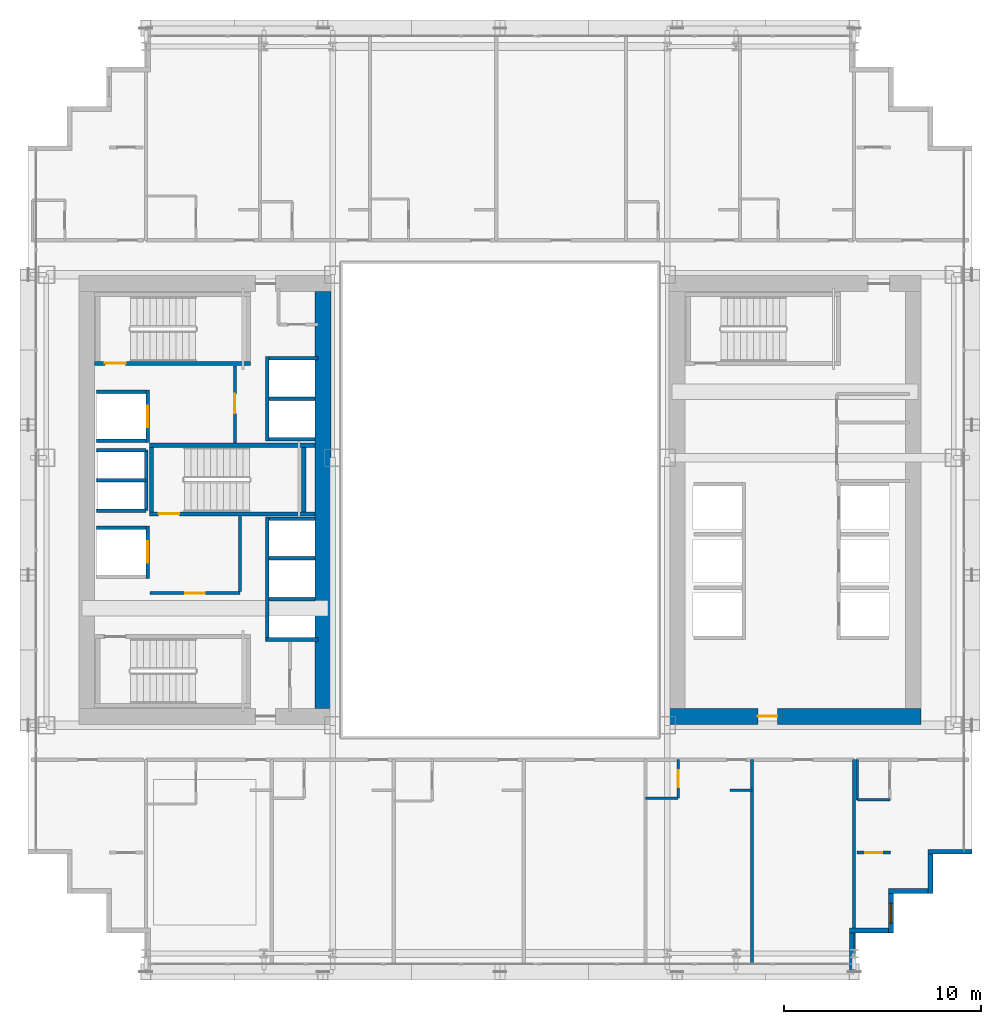
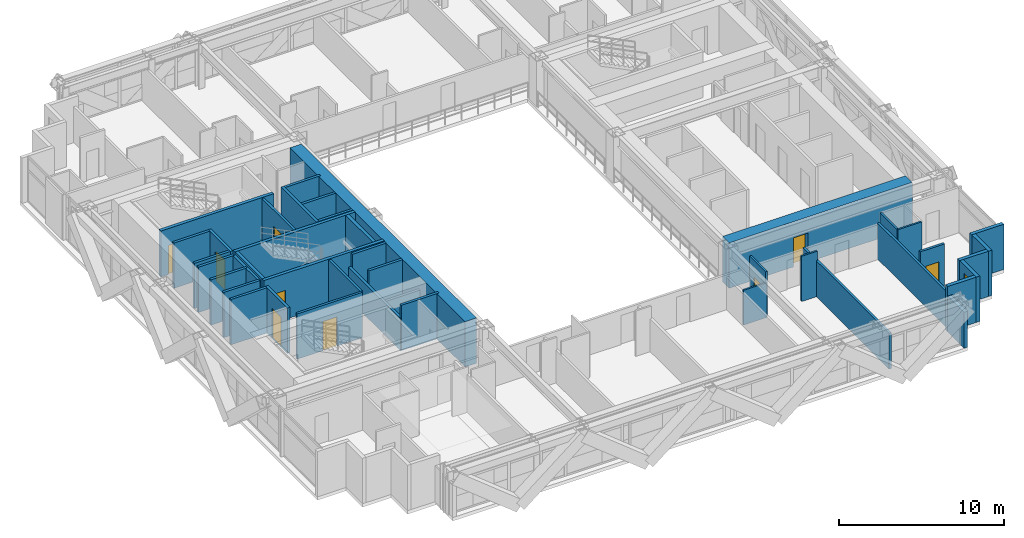
# One storey, part 31 of 38: 42 walls, 9 doors, 1 window, 10 openings.
"""IFC4 building model written with IfcOpenShell, lengths in metres."""

import ifcopenshell
import ifcopenshell.guid

model = None  # the IFC model being written
_history = None  # IfcOwnerHistory: only IFC2X3 demands one
_inside = {}  # id of a spatial element -> (the spatial element, [elements in it])
_under = {}  # id of a project, library or spatial element -> (it, [spatial elements below it])
_declared = {}  # id of a project -> (the project, [libraries it declares])
_typed = {}  # id of a type object -> (the type object, [elements of that type])
_made_of = {}  # id of a material, layer set ... -> (it, [elements and type objects made of it])


def new_model(schema):
    """Start an empty IFC model of exactly this schema.

    Asked for "IFC4X3", IfcOpenShell would pick the latest addendum, in which some entities
    have other attributes; the version numbers below select the first issue.
    IFC2X3 requires an IfcOwnerHistory on every rooted entity: one is made here for all.
    """
    global model, _history
    if schema == "IFC4X3":
        model = ifcopenshell.file(schema_version=(4, 3, 0, 0))
    else:
        model = ifcopenshell.file(schema=schema)
    _inside.clear()
    _under.clear()
    _declared.clear()
    _typed.clear()
    _made_of.clear()
    _history = None
    if model.schema == "IFC2X3":
        org = make("IfcOrganization", Name="unknown")
        user = make(
            "IfcPersonAndOrganization",
            ThePerson=make("IfcPerson", FamilyName="unknown"),
            TheOrganization=org,
        )
        app = make(
            "IfcApplication",
            ApplicationDeveloper=org,
            Version="unknown",
            ApplicationFullName="unknown",
            ApplicationIdentifier="unknown",
        )
        _history = make(
            "IfcOwnerHistory",
            OwningUser=user,
            OwningApplication=app,
            ChangeAction="ADDED",
            CreationDate=0,
        )
    return model


def make(cls, **values):
    """One entity of the class cls with the attributes given. An attribute that is None is left unset."""
    return model.create_entity(
        cls, **{name: value for name, value in values.items() if value is not None}
    )


def rooted(cls, **values):
    """An entity with a GlobalId (a new one), such as an element, a storey or a relation."""
    return make(cls, GlobalId=ifcopenshell.guid.new(), OwnerHistory=_history, **values)


def si_unit(unit_type, name, prefix=None):
    """IfcSIUnit, for example si_unit("LENGTHUNIT", "METRE", prefix="MILLI")."""
    return make("IfcSIUnit", UnitType=unit_type, Prefix=prefix, Name=name)


def assignment(units):
    """IfcUnitAssignment: the units of a project."""
    return None if units is None else make("IfcUnitAssignment", Units=units)


def point(xyz):
    """IfcCartesianPoint."""
    return None if xyz is None else make("IfcCartesianPoint", Coordinates=xyz)


def direction(xyz):
    """IfcDirection."""
    return None if xyz is None else make("IfcDirection", DirectionRatios=xyz)


def frame(location, z_axis=None, x_axis=None):
    """IfcAxis2Placement3D, a coordinate frame: its origin and axes. An axis left out is left unset."""
    return make(
        "IfcAxis2Placement3D",
        Location=point(location),
        Axis=direction(z_axis),
        RefDirection=direction(x_axis),
    )


def frame_2d(location, x_axis=None):
    """IfcAxis2Placement2D, a coordinate frame in the plane: its origin and x axis."""
    return make(
        "IfcAxis2Placement2D", Location=point(location), RefDirection=direction(x_axis)
    )


def origin():
    """The frame at (0, 0, 0) with its axes left unset."""
    return frame((0.0, 0.0, 0.0))


def place(relative_to, where):
    """IfcLocalPlacement: puts the frame where relative to a parent placement (None: the world)."""
    return make(
        "IfcLocalPlacement", PlacementRelTo=relative_to, RelativePlacement=where
    )


def context(
    kind, dimensions, precision=None, world=None, true_north=None, identifier=None
):
    """IfcGeometricRepresentationContext, for example the 3D "Model" context."""
    return make(
        "IfcGeometricRepresentationContext",
        ContextIdentifier=identifier,
        ContextType=kind,
        CoordinateSpaceDimension=dimensions,
        Precision=precision,
        WorldCoordinateSystem=world,
        TrueNorth=true_north,
    )


def subcontext(parent, identifier, kind, view, scale=None):
    """IfcGeometricRepresentationSubContext, for example "Body" below "Model"."""
    return make(
        "IfcGeometricRepresentationSubContext",
        ContextIdentifier=identifier,
        ContextType=kind,
        ParentContext=parent,
        TargetScale=scale,
        TargetView=view,
    )


def project(units=None, contexts=None):
    """IfcProject with its units and contexts."""
    return rooted(
        "IfcProject",
        Name="project",
        RepresentationContexts=contexts,
        UnitsInContext=assignment(units),
    )


def spatial(cls, under=None, at=None, **own):
    """A site, building, storey or space (cls), placed at a placement, below another one or the project."""
    s = rooted(cls, ObjectPlacement=at, **own)
    if under is not None:
        _under.setdefault(under.id(), (under, []))[1].append(s)
    return s


def profile(cls, at=None, kind="AREA", **sizes):
    """A parametric profile (cls). Its sizes go by their IFC names, for example OverallWidth=200.0."""
    return make(cls, ProfileType=kind, Position=at, **sizes)


def rectangle(**sizes):
    """IfcRectangleProfileDef."""
    return profile("IfcRectangleProfileDef", **sizes)


def extrude(swept, where, along, depth):
    """IfcExtrudedAreaSolid: the profile swept, set in the frame where, extruded along a direction by depth."""
    return make(
        "IfcExtrudedAreaSolid",
        SweptArea=swept,
        Position=where,
        ExtrudedDirection=direction(along),
        Depth=depth,
    )


def shape(context_of_items, identifier, shape_type, items):
    """IfcShapeRepresentation: the items that make up one representation, for example the "Body"."""
    return make(
        "IfcShapeRepresentation",
        ContextOfItems=context_of_items,
        RepresentationIdentifier=identifier,
        RepresentationType=shape_type,
        Items=items,
    )


def source(mapping_origin, context_of_items, identifier, shape_type, items):
    """IfcRepresentationMap: a shape defined once, which mapped items show again and again."""
    return make(
        "IfcRepresentationMap",
        MappingOrigin=mapping_origin,
        MappedRepresentation=shape(context_of_items, identifier, shape_type, items),
    )


def transform(
    local_origin,
    x_axis=None,
    y_axis=None,
    z_axis=None,
    scale=None,
    scale2=None,
    scale3=None,
    uniform=True,
):
    """IfcCartesianTransformationOperator3D, or its non-uniform kind. x_axis, y_axis, z_axis: its Axis1, 2, 3."""
    if uniform:
        return make(
            "IfcCartesianTransformationOperator3D",
            Axis1=direction(x_axis),
            Axis2=direction(y_axis),
            LocalOrigin=point(local_origin),
            Scale=scale,
            Axis3=direction(z_axis),
        )
    return make(
        "IfcCartesianTransformationOperator3DnonUniform",
        Axis1=direction(x_axis),
        Axis2=direction(y_axis),
        LocalOrigin=point(local_origin),
        Scale=scale,
        Axis3=direction(z_axis),
        Scale2=scale2,
        Scale3=scale3,
    )


def mapped(mapping_source, mapping_target):
    """IfcMappedItem: shows the shape of a source again, moved by a transform."""
    return make(
        "IfcMappedItem", MappingSource=mapping_source, MappingTarget=mapping_target
    )


def material(Name=None, Category=None):
    """IfcMaterial."""
    return make("IfcMaterial", Name=Name, Category=Category)


def layer(
    of_material, thickness, ventilated=None, Name=None, Category=None, Priority=None
):
    """IfcMaterialLayer: one layer of a wall or slab, of a material (None: an air gap)."""
    return make(
        "IfcMaterialLayer",
        Material=of_material,
        LayerThickness=thickness,
        IsVentilated=ventilated,
        Name=Name,
        Category=Category,
        Priority=Priority,
    )


def layer_set(layers, Name=None):
    """IfcMaterialLayerSet."""
    return make("IfcMaterialLayerSet", MaterialLayers=layers, LayerSetName=Name)


def made_of(thing, what):
    """Note that an element or type object is made of a material, layer set ...; save() writes the relation."""
    if what is not None:
        _made_of.setdefault(what.id(), (what, []))[1].append(thing)
    return thing


def type_object(cls, material=None, **own):
    """A type object (cls), such as IfcWallType, which elements share."""
    return made_of(rooted(cls, **own), material)


def element(
    cls,
    number,
    at=None,
    inside=None,
    cuts=None,
    type_object=None,
    material=None,
    context=None,
    identifier="Body",
    shape_type=None,
    held_by="IfcProductDefinitionShape",
    body=None,
    shapes=None,
    **own,
):
    """One element of the class cls, such as IfcWall. Its Tag is "e" and its number.

    at: its placement. inside: the storey or other place that contains it. cuts: it is an
    opening in that element (IfcRelVoidsElement). A single representation is given by context,
    identifier, shape_type and body (its items); several are given by shapes. held_by: the class
    of the entity that holds the representations. save() writes the other relations.
    """
    e = rooted(cls, Tag="e%d" % number, ObjectPlacement=at, **own)
    if body is not None:
        shapes = [shape(context, identifier, shape_type, body)]
    if shapes is not None:
        e.Representation = make(held_by, Representations=shapes)
    if inside is not None:
        _inside.setdefault(inside.id(), (inside, []))[1].append(e)
    if cuts is not None:
        rooted(
            "IfcRelVoidsElement", RelatingBuildingElement=cuts, RelatedOpeningElement=e
        )
    if type_object is not None:
        _typed.setdefault(type_object.id(), (type_object, []))[1].append(e)
    return made_of(e, material)


def fill(opening, filler):
    """IfcRelFillsElement: the door or window that sits in an opening."""
    return rooted(
        "IfcRelFillsElement",
        RelatingOpeningElement=opening,
        RelatedBuildingElement=filler,
    )


def aggregate(whole, parts):
    """IfcRelAggregates: a whole, such as a stair, and the parts it consists of."""
    return rooted("IfcRelAggregates", RelatingObject=whole, RelatedObjects=parts)


def save(model, path):
    """Write the relations noted so far, then the file.

    IfcRelAggregates (storeys below a building ...), IfcRelContainedInSpatialStructure (elements
    in a storey), IfcRelDefinesByType, IfcRelAssociatesMaterial and IfcRelDeclares: one each for
    every whole, place, type object, material and project.
    """
    for whole, parts in _under.values():
        aggregate(whole, parts)
    for where, things in _inside.values():
        rooted(
            "IfcRelContainedInSpatialStructure",
            RelatedElements=things,
            RelatingStructure=where,
        )
    for kind, things in _typed.values():
        rooted("IfcRelDefinesByType", RelatedObjects=things, RelatingType=kind)
    for what, things in _made_of.values():
        rooted("IfcRelAssociatesMaterial", RelatedObjects=things, RelatingMaterial=what)
    for by, libraries in _declared.values():
        rooted("IfcRelDeclares", RelatingContext=by, RelatedDefinitions=libraries)
    model.write(path)


model = new_model("IFC4")

# Units and contexts
model_context = context("Model", 3, precision=1e-05, world=origin(), true_north=direction((0.0, 1.0)))
body_context = subcontext(model_context, "Body", "Model", "MODEL_VIEW")
ifc_project = project(units=[si_unit("LENGTHUNIT", "METRE"), si_unit("AREAUNIT", "SQUARE_METRE"), si_unit("VOLUMEUNIT", "CUBIC_METRE"), si_unit("PLANEANGLEUNIT", "RADIAN"), si_unit("MASSUNIT", "GRAM", prefix="KILO")], contexts=[model_context])

# Site, building, storey
site_placement = place(None, origin())
site = spatial("IfcSite", under=ifc_project, at=site_placement, CompositionType="ELEMENT")
building_placement = place(site_placement, origin())
building = spatial("IfcBuilding", under=site, at=building_placement, Name="Ocotamira Hotel", CompositionType="ELEMENT")
storey_placement = place(building_placement, frame((0.0, 0.0, 45.60009765625)))
storey = spatial("IfcBuildingStorey", under=building, at=storey_placement, Name="L10", CompositionType="ELEMENT", Elevation=45.60009765625)

# Wall
ifc_material_1 = material(Name="Concrete C60/75", Category="concrete")
ifc_layer_1 = layer(ifc_material_1, 0.800048828125)
ifc_layer_set_1 = layer_set([ifc_layer_1], Name="Concrete C60/75")
wall_type_1 = type_object("IfcWallType", Name="WL-CORE-800", PredefinedType="SHEAR", material=ifc_layer_set_1)
wall_1_placement = place(storey_placement, frame((23.0, 15.39990234375, 0.0), z_axis=(0.0, 0.0, 1.0), x_axis=(0.0, 1.0, 0.0)))
element("IfcWall", 1, at=wall_1_placement, inside=storey, type_object=wall_type_1, Name="L10 Shear Core Wall WCORE-E", PredefinedType="SHEAR", context=body_context, shape_type="SweptSolid", body=[
    extrude(rectangle(XDim=21.2001953125, YDim=0.800048828125, at=frame_2d((10.60009765625, 0.0))), origin(), (0.0, 0.0, 1.0), 3.349853515625),
])

# Wall, opening, door
wall_2_placement = place(storey_placement, frame((40.60009765625, 15.0, 0.0), z_axis=(0.0, 0.0, 1.0), x_axis=(1.0, 0.0, 0.0)))
wall_2 = element("IfcWall", 2, at=wall_2_placement, inside=storey, type_object=wall_type_1, Name="L10 Shear Core Wall ECORE-S", PredefinedType="SHEAR", context=body_context, shape_type="SweptSolid", body=[
    extrude(rectangle(XDim=12.7998046875, YDim=0.800048828125, at=frame_2d((6.39990234375, 0.0))), origin(), (0.0, 0.0, 1.0), 3.349853515625),
])
opening_1_placement = place(wall_2_placement, frame((4.5, 0.0, 0.0)))
opening_1 = element("IfcOpeningElement", 3, at=opening_1_placement, cuts=wall_2, Name="Opening D-FR2", PredefinedType="OPENING", context=body_context, shape_type="SweptSolid", body=[
    extrude(rectangle(XDim=1.0, YDim=2.14990234375, at=frame_2d((0.5, 1.074951171875))), frame((0.0, 0.41015625, 0.0), z_axis=(0.0, -1.0, 0.0), x_axis=(1.0, 0.0, 0.0)), (0.0, 0.0, 1.0), 0.820068359375),
])
ifc_material_2 = material(Name="Fire-rated acoustic timber-veneer door", Category="wood")
door_type_1 = type_object("IfcDoorType", Name="DR-FIRE-1000", OperationType="NOTDEFINED", PredefinedType="DOOR", material=ifc_material_2)
shared_shape_1 = source(origin(), body_context, "Body", "SweptSolid", [
    extrude(rectangle(XDim=1.0, YDim=2.14990234375, at=frame_2d((0.5, 1.074951171875))), frame((0.0, 0.02490234375, 0.0), z_axis=(0.0, -1.0, 0.0), x_axis=(1.0, 0.0, 0.0)), (0.0, 0.0, 1.0), 0.050048828125),
])
door_1_placement = place(opening_1_placement, origin())
door_1 = element("IfcDoor", 4, at=door_1_placement, inside=storey, type_object=door_type_1, Name="L10 Door ID-L10-ELOB-S-D [ID-L10-ELOB-S-D]", OperationType="SINGLE_SWING_RIGHT", OverallHeight=2.14990234375, OverallWidth=1.0, PredefinedType="DOOR", context=body_context, shape_type="MappedRepresentation", body=[
    mapped(shared_shape_1, transform((0.0, 0.0, 0.0), scale=1.0)),
])
fill(opening_1, door_1)

# Walls
ifc_material_3 = material(Name="Precast concrete C45/55", Category="concrete")
ifc_layer_2 = layer(ifc_material_3, 0.25)
ifc_layer_set_2 = layer_set([ifc_layer_2], Name="Precast concrete C45/55")
wall_type_2 = type_object("IfcWallType", Name="WL-EXT-SER-250", PredefinedType="SOLIDWALL", material=ifc_layer_set_2)
wall_3_placement = place(storey_placement, frame((49.875, 2.0, 0.0), z_axis=(0.0, 0.0, 1.0), x_axis=(0.0, 1.0, 0.0)))
element("IfcWall", 5, at=wall_3_placement, inside=storey, type_object=wall_type_2, Name="L10 Serrated Corner Wall 01", PredefinedType="SOLIDWALL", context=body_context, shape_type="SweptSolid", body=[
    extrude(rectangle(XDim=2.0, YDim=0.25, at=frame_2d((1.0, 0.0))), origin(), (0.0, 0.0, 1.0), 2.656982421875),
])
wall_4_placement = place(storey_placement, frame((49.75, 4.125, 0.0), z_axis=(0.0, 0.0, 1.0), x_axis=(1.0, 0.0, 0.0)))
element("IfcWall", 6, at=wall_4_placement, inside=storey, type_object=wall_type_2, Name="L10 Serrated Corner Wall 02", PredefinedType="SOLIDWALL", context=body_context, shape_type="SweptSolid", body=[
    extrude(rectangle(XDim=2.0, YDim=0.25, at=frame_2d((1.0, 0.0))), origin(), (0.0, 0.0, 1.0), 3.349853515625),
])

# Wall, opening, window
wall_5_placement = place(storey_placement, frame((51.875, 4.0, 0.0), z_axis=(0.0, 0.0, 1.0), x_axis=(0.0, 1.0, 0.0)))
wall_5 = element("IfcWall", 7, at=wall_5_placement, inside=storey, type_object=wall_type_2, Name="L10 Serrated Corner Wall 03", PredefinedType="SOLIDWALL", context=body_context, shape_type="SweptSolid", body=[
    extrude(rectangle(XDim=2.0, YDim=0.25, at=frame_2d((1.0, 0.0))), origin(), (0.0, 0.0, 1.0), 3.349853515625),
])
opening_2_placement = place(wall_5_placement, frame((0.5, 0.0, 0.85009765625)))
opening_2 = element("IfcOpeningElement", 8, at=opening_2_placement, cuts=wall_5, Name="Opening WN-2", PredefinedType="OPENING", context=body_context, shape_type="SweptSolid", body=[
    extrude(rectangle(XDim=1.0, YDim=1.89990234375, at=frame_2d((0.5, 0.949951171875))), frame((0.0, 0.135009765625, 0.0), z_axis=(0.0, -1.0, 0.0), x_axis=(1.0, 0.0, 0.0)), (0.0, 0.0, 1.0), 0.27001953125),
])
ifc_material_4 = material(Name="Double-silver low-E solar glass", Category="glass")
window_type = type_object("IfcWindowType", Name="WIN-SER-1100", PartitioningType="SINGLE_PANEL", PredefinedType="WINDOW", material=ifc_material_4)
shared_shape_2 = source(origin(), body_context, "Body", "SweptSolid", [
    extrude(rectangle(XDim=1.0, YDim=1.89990234375, at=frame_2d((0.5, 0.949951171875))), frame((0.0, 0.030029296875, 0.0), z_axis=(0.0, -1.0, 0.0), x_axis=(1.0, 0.0, 0.0)), (0.0, 0.0, 1.0), 0.06005859375),
])
window_placement = place(opening_2_placement, origin())
window = element("IfcWindow", 9, at=window_placement, inside=storey, type_object=window_type, Name="L10 Serrated Corner Window 03", OverallHeight=1.89990234375, OverallWidth=1.0, PartitioningType="SINGLE_PANEL", PredefinedType="WINDOW", context=body_context, shape_type="MappedRepresentation", body=[
    mapped(shared_shape_2, transform((0.0, 0.0, 0.0), scale=1.0)),
])
fill(opening_2, window)

# Walls
for number, where, z_axis, x_axis, name in (
    (10, (51.75, 6.125, 0.0), (0.0, 0.0, 1.0), (1.0, 0.0, 0.0), "L10 Serrated Corner Wall 04"),
    (11, (53.875, 6.0, 0.0), (0.0, 0.0, 1.0), (0.0, 1.0, 0.0), "L10 Serrated Corner Wall 05"),
):
    element("IfcWall", number, at=place(storey_placement, frame(where, z_axis=z_axis, x_axis=x_axis)), inside=storey, type_object=wall_type_2, Name=name, PredefinedType="SOLIDWALL", context=body_context, shape_type="SweptSolid", body=[
        extrude(rectangle(XDim=2.0, YDim=0.25, at=frame_2d((1.0, 0.0))), origin(), (0.0, 0.0, 1.0), 3.349853515625),
    ])
wall_6_placement = place(storey_placement, frame((53.75, 8.125, 0.0), z_axis=(0.0, 0.0, 1.0), x_axis=(1.0, 0.0, 0.0)))
element("IfcWall", 12, at=wall_6_placement, inside=storey, type_object=wall_type_2, Name="L10 Serrated Corner Wall 06", PredefinedType="SOLIDWALL", context=body_context, shape_type="SweptSolid", body=[
    extrude(rectangle(XDim=2.25, YDim=0.25, at=frame_2d((1.125, 0.0))), origin(), (0.0, 0.0, 1.0), 3.349853515625),
])

# Wall, opening, door
ifc_material_5 = material(Name="Acoustic double-layer fire gypsum board partition", Category="gypsum")
ifc_layer_3 = layer(ifc_material_5, 0.159912109375)
ifc_layer_set_3 = layer_set([ifc_layer_3], Name="Acoustic double-layer fire gypsum board partition")
wall_type_3 = type_object("IfcWallType", Name="WL-FIRE-160", PredefinedType="PARTITIONING", material=ifc_layer_set_3)
wall_7_placement = place(storey_placement, frame((14.199951171875, 21.27001953125, 0.0), z_axis=(0.0, 0.0, 1.0), x_axis=(1.0, 0.0, 0.0)))
wall_7 = element("IfcWall", 13, at=wall_7_placement, inside=storey, type_object=wall_type_3, Name="L10 Interior Wall PW-L10-FSAE1-S", PredefinedType="PARTITIONING", context=body_context, shape_type="SweptSolid", body=[
    extrude(rectangle(XDim=4.580078125, YDim=0.159912109375, at=frame_2d((2.2900390625, 0.0))), origin(), (0.0, 0.0, 1.0), 3.349853515625),
])
opening_3_placement = place(wall_7_placement, frame((1.800048828125, 0.0, 0.0)))
opening_3 = element("IfcOpeningElement", 14, at=opening_3_placement, cuts=wall_7, Name="Opening D-FR2", PredefinedType="OPENING", context=body_context, shape_type="SweptSolid", body=[
    extrude(rectangle(XDim=1.0, YDim=2.14990234375, at=frame_2d((0.5, 1.074951171875))), frame((0.0, 0.08984375, 0.0), z_axis=(0.0, -1.0, 0.0), x_axis=(1.0, 0.0, 0.0)), (0.0, 0.0, 1.0), 0.179931640625),
])
door_2_placement = place(opening_3_placement, origin())
door_2 = element("IfcDoor", 15, at=door_2_placement, inside=storey, type_object=door_type_1, Name="L10 Door ID-L10-FSAE1-D [ID-L10-FSAE1-D]", OperationType="SINGLE_SWING_LEFT", OverallHeight=2.14990234375, OverallWidth=1.0, PredefinedType="DOOR", context=body_context, shape_type="MappedRepresentation", body=[
    mapped(shared_shape_1, transform((0.0, 0.0, 0.0), scale=1.0)),
])
fill(opening_3, door_2)

# Wall
wall_8_placement = place(storey_placement, frame((18.780029296875, 21.35009765625, 0.0), z_axis=(0.0, 0.0, 1.0), x_axis=(0.0, 1.0, 0.0)))
element("IfcWall", 16, at=wall_8_placement, inside=storey, type_object=wall_type_3, Name="L10 Interior Wall PW-L10-FSAE1-E", PredefinedType="PARTITIONING", context=body_context, shape_type="SweptSolid", body=[
    extrude(rectangle(XDim=3.809814453125, YDim=0.159912109375, at=frame_2d((1.90478515625, 0.0))), origin(), (0.0, 0.0, 1.0), 3.349853515625),
])

# Wall, opening, door
wall_9_placement = place(storey_placement, frame((18.530029296875, 28.89990234375, 0.0), z_axis=(0.0, 0.0, 1.0), x_axis=(0.0, 1.0, 0.0)))
wall_9 = element("IfcWall", 17, at=wall_9_placement, inside=storey, type_object=wall_type_3, Name="L10 Interior Wall PW-L10-FSAE2-E", PredefinedType="PARTITIONING", context=body_context, shape_type="SweptSolid", body=[
    extrude(rectangle(XDim=3.900146484375, YDim=0.159912109375, at=frame_2d((1.9501953125, 0.0))), origin(), (0.0, 0.0, 1.0), 3.349853515625),
])
opening_4_placement = place(wall_9_placement, frame((1.5, 0.0, 0.0)))
opening_4 = element("IfcOpeningElement", 18, at=opening_4_placement, cuts=wall_9, Name="Opening D-FR2", PredefinedType="OPENING", context=body_context, shape_type="SweptSolid", body=[
    extrude(rectangle(XDim=1.0, YDim=2.14990234375, at=frame_2d((0.5, 1.074951171875))), frame((0.0, 0.08984375, 0.0), z_axis=(0.0, -1.0, 0.0), x_axis=(1.0, 0.0, 0.0)), (0.0, 0.0, 1.0), 0.179931640625),
])
door_3_placement = place(opening_4_placement, origin())
door_3 = element("IfcDoor", 19, at=door_3_placement, inside=storey, type_object=door_type_1, Name="L10 Door ID-L10-FSAE2-D [ID-L10-FSAE2-D]", OperationType="SINGLE_SWING_RIGHT", OverallHeight=2.14990234375, OverallWidth=1.0, PredefinedType="DOOR", context=body_context, shape_type="MappedRepresentation", body=[
    mapped(shared_shape_1, transform((0.0, 0.0, 0.0), scale=1.0)),
])
fill(opening_4, door_3)

wall_10_placement = place(storey_placement, frame((50.14990234375, 8.080078125, 0.0), z_axis=(0.0, 0.0, 1.0), x_axis=(1.0, 0.0, 0.0)))
wall_10 = element("IfcWall", 20, at=wall_10_placement, inside=storey, type_object=wall_type_3, Name="L10 Interior Wall PW-L10-Z1B-CSE2-CW", PredefinedType="PARTITIONING", context=body_context, shape_type="SweptSolid", body=[
    extrude(rectangle(XDim=1.7001953125, YDim=0.159912109375, at=frame_2d((0.85009765625, 0.0))), origin(), (0.0, 0.0, 1.0), 3.349853515625),
])
opening_5_placement = place(wall_10_placement, frame((0.409912109375, 0.0, 0.0)))
opening_5 = element("IfcOpeningElement", 21, at=opening_5_placement, cuts=wall_10, Name="Opening D-SV2", PredefinedType="OPENING", context=body_context, shape_type="SweptSolid", body=[
    extrude(rectangle(XDim=0.8798828125, YDim=2.14990234375, at=frame_2d((0.43994140625, 1.074951171875))), frame((0.0, 0.08984375, 0.0), z_axis=(0.0, -1.0, 0.0), x_axis=(1.0, 0.0, 0.0)), (0.0, 0.0, 1.0), 0.179931640625),
])
ifc_material_6 = material(Name="Fire-rated painted steel service door", Category="steel")
door_type_2 = type_object("IfcDoorType", Name="DR-SERV-880", OperationType="NOTDEFINED", PredefinedType="DOOR", material=ifc_material_6)
shared_shape_3 = source(origin(), body_context, "Body", "SweptSolid", [
    extrude(rectangle(XDim=0.8798828125, YDim=2.14990234375, at=frame_2d((0.43994140625, 1.074951171875))), frame((0.0, 0.02490234375, 0.0), z_axis=(0.0, -1.0, 0.0), x_axis=(1.0, 0.0, 0.0)), (0.0, 0.0, 1.0), 0.050048828125),
])
door_4_placement = place(opening_5_placement, origin())
door_4 = element("IfcDoor", 22, at=door_4_placement, inside=storey, type_object=door_type_2, Name="L10 Door ID-L10-Z1B-CSE2-CD [ID-L10-Z1B-CSE2-CD]", OperationType="SINGLE_SWING_LEFT", OverallHeight=2.14990234375, OverallWidth=0.8798828125, PredefinedType="DOOR", context=body_context, shape_type="MappedRepresentation", body=[
    mapped(shared_shape_3, transform((0.0, 0.0, 0.0), scale=1.0)),
])
fill(opening_5, door_4)

# Walls
ifc_material_7 = material(Name="Moisture-resistant en-suite tile and gypsum partition", Category="gypsum")
ifc_layer_4 = layer(ifc_material_7, 0.1201171875)
ifc_layer_set_4 = layer_set([ifc_layer_4], Name="Moisture-resistant en-suite tile and gypsum partition")
wall_type_4 = type_object("IfcWallType", Name="WL-PART-120", PredefinedType="PARTITIONING", material=ifc_layer_set_4)
wall_11_placement = place(storey_placement, frame((50.159912109375, 10.760009765625, 0.0), z_axis=(0.0, 0.0, 1.0), x_axis=(0.0, 1.0, 0.0)))
element("IfcWall", 23, at=wall_11_placement, inside=storey, type_object=wall_type_4, Name="L10 Interior Wall PW-L10-Z1B-CSE-BW", PredefinedType="PARTITIONING", context=body_context, shape_type="SweptSolid", body=[
    extrude(rectangle(XDim=2.0400390625, YDim=0.1201171875, at=frame_2d((1.02001953125, 0.0))), origin(), (0.0, 0.0, 1.0), 3.349853515625),
])
wall_12_placement = place(storey_placement, frame((50.159912109375, 10.760009765625, 0.0), z_axis=(0.0, 0.0, 1.0), x_axis=(1.0, 0.0, 0.0)))
element("IfcWall", 24, at=wall_12_placement, inside=storey, type_object=wall_type_4, Name="L10 Interior Wall PW-L10-Z1B-CSE-BH", PredefinedType="PARTITIONING", context=body_context, shape_type="SweptSolid", body=[
    extrude(rectangle(XDim=1.650146484375, YDim=0.1201171875, at=frame_2d((0.8251953125, 0.0))), origin(), (0.0, 0.0, 1.0), 3.349853515625),
])

# Wall, opening, door
wall_13_placement = place(storey_placement, frame((41.050048828125, 10.85009765625, 0.0), z_axis=(0.0, 0.0, 1.0), x_axis=(0.0, 1.0, 0.0)))
wall_13 = element("IfcWall", 25, at=wall_13_placement, inside=storey, type_object=wall_type_4, Name="L10 Interior Wall PW-L10-Z1BS-BAE5", PredefinedType="PARTITIONING", context=body_context, shape_type="SweptSolid", body=[
    extrude(rectangle(XDim=1.949951171875, YDim=0.1201171875, at=frame_2d((0.97509765625, 0.0))), origin(), (0.0, 0.0, 1.0), 3.349853515625),
])
opening_6_placement = place(wall_13_placement, frame((0.544921875, 0.0, 0.0)))
opening_6 = element("IfcOpeningElement", 26, at=opening_6_placement, cuts=wall_13, Name="Opening D-BA1", PredefinedType="OPENING", context=body_context, shape_type="SweptSolid", body=[
    extrude(rectangle(XDim=0.860107421875, YDim=2.10009765625, at=frame_2d((0.43017578125, 1.050048828125))), frame((0.0, 0.070068359375, 0.0), z_axis=(0.0, -1.0, 0.0), x_axis=(1.0, 0.0, 0.0)), (0.0, 0.0, 1.0), 0.14013671875),
])
ifc_material_8 = material(Name="Moisture-sealed en-suite timber door", Category="wood")
door_type_3 = type_object("IfcDoorType", Name="DR-BATH-860", OperationType="NOTDEFINED", PredefinedType="DOOR", material=ifc_material_8)
shared_shape_4 = source(origin(), body_context, "Body", "SweptSolid", [
    extrude(rectangle(XDim=0.860107421875, YDim=2.10009765625, at=frame_2d((0.43017578125, 1.050048828125))), frame((0.0, 0.02490234375, 0.0), z_axis=(0.0, -1.0, 0.0), x_axis=(1.0, 0.0, 0.0)), (0.0, 0.0, 1.0), 0.050048828125),
])
door_5_placement = place(opening_6_placement, origin())
door_5 = element("IfcDoor", 27, at=door_5_placement, inside=storey, type_object=door_type_3, Name="L10 Door ID-L10-Z1BS-BAD5 [ID-L10-Z1BS-BAD5]", OperationType="SINGLE_SWING_RIGHT", OverallHeight=2.10009765625, OverallWidth=0.860107421875, PredefinedType="DOOR", context=body_context, shape_type="MappedRepresentation", body=[
    mapped(shared_shape_4, transform((0.0, 0.0, 0.0), scale=1.0)),
])
fill(opening_6, door_5)

# Walls
wall_14_placement = place(storey_placement, frame((39.39990234375, 10.85009765625, 0.0), z_axis=(0.0, 0.0, 1.0), x_axis=(1.0, 0.0, 0.0)))
element("IfcWall", 28, at=wall_14_placement, inside=storey, type_object=wall_type_4, Name="L10 Interior Wall PW-L10-Z1BS-BAS5", PredefinedType="PARTITIONING", context=body_context, shape_type="SweptSolid", body=[
    extrude(rectangle(XDim=1.650146484375, YDim=0.1201171875, at=frame_2d((0.8251953125, 0.0))), origin(), (0.0, 0.0, 1.0), 2.57080078125),
])
wall_15_placement = place(storey_placement, frame((43.699951171875, 11.25, 0.0), z_axis=(0.0, 0.0, 1.0), x_axis=(1.0, 0.0, 0.0)))
element("IfcWall", 29, at=wall_15_placement, inside=storey, type_object=wall_type_4, Name="L10 Interior Wall PW-L10-Z1BS-DRN5", PredefinedType="PARTITIONING", context=body_context, shape_type="SweptSolid", body=[
    extrude(rectangle(XDim=1.10009765625, YDim=0.1201171875, at=frame_2d((0.550048828125, 0.0))), origin(), (0.0, 0.0, 1.0), 3.349853515625),
])
ifc_material_9 = material(Name="Acoustic double-stud hospitality gypsum partition", Category="gypsum")
ifc_layer_5 = layer(ifc_material_9, 0.159912109375)
ifc_layer_set_5 = layer_set([ifc_layer_5], Name="Acoustic double-stud hospitality gypsum partition")
wall_type_5 = type_object("IfcWallType", Name="WL-PART-160", PredefinedType="PARTITIONING", material=ifc_layer_set_5)
for number, where, z_axis, x_axis, name in (
    (30, (50.0, 2.360107421875, 0.0), (0.0, 0.0, 1.0), (0.0, 1.0, 0.0), "L10 Interior Wall PW-L10-Z1BS-PWEND"),
    (31, (44.800048828125, 2.360107421875, 0.0), (0.0, 0.0, 1.0), (0.0, 1.0, 0.0), "L10 Interior Wall PW-L10-Z1BS-PW5"),
):
    element("IfcWall", number, at=place(storey_placement, frame(where, z_axis=z_axis, x_axis=x_axis)), inside=storey, type_object=wall_type_5, Name=name, PredefinedType="PARTITIONING", context=body_context, shape_type="SweptSolid", body=[
        extrude(rectangle(XDim=10.43994140625, YDim=0.159912109375, at=frame_2d((5.219970703125, 0.0))), origin(), (0.0, 0.0, 1.0), 2.656982421875),
    ])
ifc_material_10 = material(Name="Fire-rated gypsum shaftliner board assembly", Category="gypsum")
ifc_layer_6 = layer(ifc_material_10, 0.179931640625)
ifc_layer_set_6 = layer_set([ifc_layer_6], Name="Fire-rated gypsum shaftliner board assembly")
wall_type_6 = type_object("IfcWallType", Name="WL-SHAFT-180", PredefinedType="SOLIDWALL", material=ifc_layer_set_6)
wall_16_placement = place(storey_placement, frame((20.159912109375, 18.820068359375, 0.0), z_axis=(0.0, 0.0, 1.0), x_axis=(0.0, 1.0, 0.0)))
element("IfcWall", 32, at=wall_16_placement, inside=storey, type_object=wall_type_6, Name="L10 Interior Wall PW-L10-LFW-BANK-high-F", PredefinedType="SOLIDWALL", context=body_context, shape_type="SweptSolid", body=[
    extrude(rectangle(XDim=6.31982421875, YDim=0.179931640625, at=frame_2d((3.159912109375, 0.0))), origin(), (0.0, 0.0, 1.0), 2.35986328125),
])
wall_17_placement = place(storey_placement, frame((20.1201171875, 18.909912109375, 0.0), z_axis=(0.0, 0.0, 1.0), x_axis=(1.0, 0.0, 0.0)))
element("IfcWall", 33, at=wall_17_placement, inside=storey, type_object=wall_type_6, Name="L10 Interior Wall PW-L10-LFW-BANK-high-S", PredefinedType="SOLIDWALL", context=body_context, shape_type="SweptSolid", body=[
    extrude(rectangle(XDim=2.6298828125, YDim=0.179931640625, at=frame_2d((1.31494140625, 0.0))), origin(), (0.0, 0.0, 1.0), 3.349853515625),
])
wall_18_placement = place(storey_placement, frame((20.25, 25.050048828125, 0.0), z_axis=(0.0, 0.0, 1.0), x_axis=(1.0, 0.0, 0.0)))
element("IfcWall", 34, at=wall_18_placement, inside=storey, type_object=wall_type_6, Name="L10 Interior Wall PW-L10-LFW-BANK-high-N", PredefinedType="SOLIDWALL", context=body_context, shape_type="SweptSolid", body=[
    extrude(rectangle(XDim=2.360107421875, YDim=0.179931640625, at=frame_2d((1.18017578125, 0.0))), origin(), (0.0, 0.0, 1.0), 3.349853515625),
])
wall_19_placement = place(storey_placement, frame((20.25, 20.965087890625, 0.0), z_axis=(0.0, 0.0, 1.0), x_axis=(1.0, 0.0, 0.0)))
element("IfcWall", 35, at=wall_19_placement, inside=storey, type_object=wall_type_6, Name="L10 Interior Wall PW-L10-LFW-DIV-LF-P7", PredefinedType="SOLIDWALL", context=body_context, shape_type="SweptSolid", body=[
    extrude(rectangle(XDim=2.360107421875, YDim=0.179931640625, at=frame_2d((1.18017578125, 0.0))), origin(), (0.0, 0.0, 1.0), 2.35986328125),
])
wall_20_placement = place(storey_placement, frame((20.25, 23.044921875, 0.0), z_axis=(0.0, 0.0, 1.0), x_axis=(1.0, 0.0, 0.0)))
element("IfcWall", 36, at=wall_20_placement, inside=storey, type_object=wall_type_6, Name="L10 Interior Wall PW-L10-LFW-DIV-LF-P8", PredefinedType="SOLIDWALL", context=body_context, shape_type="SweptSolid", body=[
    extrude(rectangle(XDim=2.360107421875, YDim=0.179931640625, at=frame_2d((1.18017578125, 0.0))), origin(), (0.0, 0.0, 1.0), 3.349853515625),
])
wall_21_placement = place(storey_placement, frame((20.159912109375, 29.0, 0.0), z_axis=(0.0, 0.0, 1.0), x_axis=(0.0, 1.0, 0.0)))
element("IfcWall", 37, at=wall_21_placement, inside=storey, type_object=wall_type_6, Name="L10 Interior Wall PW-L10-LFW-BANK-obs-F", PredefinedType="SOLIDWALL", context=body_context, shape_type="SweptSolid", body=[
    extrude(rectangle(XDim=4.2900390625, YDim=0.179931640625, at=frame_2d((2.14501953125, 0.0))), origin(), (0.0, 0.0, 1.0), 3.349853515625),
])
wall_22_placement = place(storey_placement, frame((20.25, 29.090087890625, 0.0), z_axis=(0.0, 0.0, 1.0), x_axis=(1.0, 0.0, 0.0)))
element("IfcWall", 38, at=wall_22_placement, inside=storey, type_object=wall_type_6, Name="L10 Interior Wall PW-L10-LFW-BANK-obs-S", PredefinedType="SOLIDWALL", context=body_context, shape_type="SweptSolid", body=[
    extrude(rectangle(XDim=2.360107421875, YDim=0.179931640625, at=frame_2d((1.18017578125, 0.0))), origin(), (0.0, 0.0, 1.0), 3.349853515625),
])
wall_23_placement = place(storey_placement, frame((20.25, 33.199951171875, 0.0), z_axis=(0.0, 0.0, 1.0), x_axis=(1.0, 0.0, 0.0)))
element("IfcWall", 39, at=wall_23_placement, inside=storey, type_object=wall_type_6, Name="L10 Interior Wall PW-L10-LFW-BANK-obs-N", PredefinedType="SOLIDWALL", context=body_context, shape_type="SweptSolid", body=[
    extrude(rectangle(XDim=2.5, YDim=0.179931640625, at=frame_2d((1.25, 0.0))), origin(), (0.0, 0.0, 1.0), 3.349853515625),
])
wall_24_placement = place(storey_placement, frame((20.25, 31.14501953125, 0.0), z_axis=(0.0, 0.0, 1.0), x_axis=(1.0, 0.0, 0.0)))
element("IfcWall", 40, at=wall_24_placement, inside=storey, type_object=wall_type_6, Name="L10 Interior Wall PW-L10-LFW-DIV-LF-OBS1", PredefinedType="SOLIDWALL", context=body_context, shape_type="SweptSolid", body=[
    extrude(rectangle(XDim=2.360107421875, YDim=0.179931640625, at=frame_2d((1.18017578125, 0.0))), origin(), (0.0, 0.0, 1.0), 3.349853515625),
])
wall_25_placement = place(storey_placement, frame((11.5, 24.590087890625, 0.0), z_axis=(0.0, 0.0, 1.0), x_axis=(1.0, 0.0, 0.0)))
element("IfcWall", 41, at=wall_25_placement, inside=storey, type_object=wall_type_6, Name="L10 Interior Wall PW-L10-LFW-LF-FSAE1-N", PredefinedType="SOLIDWALL", context=body_context, shape_type="SweptSolid", body=[
    extrude(rectangle(XDim=2.5, YDim=0.179931640625, at=frame_2d((1.25, 0.0))), origin(), (0.0, 0.0, 1.0), 3.349853515625),
])

# Wall, opening, door
wall_26_placement = place(storey_placement, frame((14.090087890625, 22.02001953125, 0.0), z_axis=(0.0, 0.0, 1.0), x_axis=(0.0, 1.0, 0.0)))
wall_26 = element("IfcWall", 42, at=wall_26_placement, inside=storey, type_object=wall_type_6, Name="L10 Interior Wall PW-L10-LFW-LF-FSAE1-E", PredefinedType="SOLIDWALL", context=body_context, shape_type="SweptSolid", body=[
    extrude(rectangle(XDim=2.659912109375, YDim=0.179931640625, at=frame_2d((1.330078125, 0.0))), origin(), (0.0, 0.0, 1.0), 3.349853515625),
])
opening_7_placement = place(wall_26_placement, frame((0.780029296875, 0.0, 0.0)))
opening_7 = element("IfcOpeningElement", 43, at=opening_7_placement, cuts=wall_26, Name="Opening LD-LF-FSAE1", PredefinedType="OPENING", context=body_context, shape_type="SweptSolid", body=[
    extrude(rectangle(XDim=1.10009765625, YDim=2.199951171875, at=frame_2d((0.550048828125, 1.10009765625))), frame((0.0, 0.10009765625, 0.0), z_axis=(0.0, -1.0, 0.0), x_axis=(1.0, 0.0, 0.0)), (0.0, 0.0, 1.0), 0.199951171875),
])
ifc_material_11 = material(Name="Brushed pale-metal stainless elevator landing door", Category="steel")
door_type_4 = type_object("IfcDoorType", Name="DR-LIFT-1100", OperationType="NOTDEFINED", PredefinedType="DOOR", material=ifc_material_11)
shared_shape_5 = source(origin(), body_context, "Body", "SweptSolid", [
    extrude(rectangle(XDim=1.10009765625, YDim=2.199951171875, at=frame_2d((0.550048828125, 1.10009765625))), frame((0.0, 0.02490234375, 0.0), z_axis=(0.0, -1.0, 0.0), x_axis=(1.0, 0.0, 0.0)), (0.0, 0.0, 1.0), 0.050048828125),
])
door_6_placement = place(opening_7_placement, origin())
door_6 = element("IfcDoor", 44, at=door_6_placement, inside=storey, type_object=door_type_4, Name="L10 Landing Door LD-LF-FSAE1 [ID-L10-LD-LF-FSAE1]", OperationType="DOUBLE_DOOR_SLIDING", OverallHeight=2.199951171875, OverallWidth=1.10009765625, PredefinedType="DOOR", context=body_context, shape_type="MappedRepresentation", body=[
    mapped(shared_shape_5, transform((0.0, 0.0, 0.0), scale=1.0)),
])
fill(opening_7, door_6)

# Walls
for number, where, z_axis, x_axis, name in (
    (45, (11.5, 29.010009765625, 0.0), (0.0, 0.0, 1.0), (1.0, 0.0, 0.0), "L10 Interior Wall PW-L10-LFW-LF-FSAE2-S"),
    (46, (11.5, 31.489990234375, 0.0), (0.0, 0.0, 1.0), (1.0, 0.0, 0.0), "L10 Interior Wall PW-L10-LFW-LF-FSAE2-N"),
):
    element("IfcWall", number, at=place(storey_placement, frame(where, z_axis=z_axis, x_axis=x_axis)), inside=storey, type_object=wall_type_6, Name=name, PredefinedType="SOLIDWALL", context=body_context, shape_type="SweptSolid", body=[
        extrude(rectangle(XDim=2.5, YDim=0.179931640625, at=frame_2d((1.25, 0.0))), origin(), (0.0, 0.0, 1.0), 3.349853515625),
    ])

# Wall, opening, door
wall_27_placement = place(storey_placement, frame((14.090087890625, 28.919921875, 0.0), z_axis=(0.0, 0.0, 1.0), x_axis=(0.0, 1.0, 0.0)))
wall_27 = element("IfcWall", 47, at=wall_27_placement, inside=storey, type_object=wall_type_6, Name="L10 Interior Wall PW-L10-LFW-LF-FSAE2-E", PredefinedType="SOLIDWALL", context=body_context, shape_type="SweptSolid", body=[
    extrude(rectangle(XDim=2.66015625, YDim=0.179931640625, at=frame_2d((1.330078125, 0.0))), origin(), (0.0, 0.0, 1.0), 3.349853515625),
])
opening_8_placement = place(wall_27_placement, frame((0.780029296875, 0.0, 0.0)))
opening_8 = element("IfcOpeningElement", 48, at=opening_8_placement, cuts=wall_27, Name="Opening LD-LF-FSAE2", PredefinedType="OPENING", context=body_context, shape_type="SweptSolid", body=[
    extrude(rectangle(XDim=1.10009765625, YDim=2.199951171875, at=frame_2d((0.550048828125, 1.10009765625))), frame((0.0, 0.10009765625, 0.0), z_axis=(0.0, -1.0, 0.0), x_axis=(1.0, 0.0, 0.0)), (0.0, 0.0, 1.0), 0.199951171875),
])
door_7_placement = place(opening_8_placement, origin())
door_7 = element("IfcDoor", 49, at=door_7_placement, inside=storey, type_object=door_type_4, Name="L10 Landing Door LD-LF-FSAE2 [ID-L10-LD-LF-FSAE2]", OperationType="DOUBLE_DOOR_SLIDING", OverallHeight=2.199951171875, OverallWidth=1.10009765625, PredefinedType="DOOR", context=body_context, shape_type="MappedRepresentation", body=[
    mapped(shared_shape_5, transform((0.0, 0.0, 0.0), scale=1.0)),
])
fill(opening_8, door_7)

# Walls
for number, where, z_axis, x_axis, name in (
    (50, (11.5, 25.4599609375, 0.0), (0.0, 0.0, 1.0), (1.0, 0.0, 0.0), "L10 Interior Wall PW-L10-RSW-S"),
    (51, (11.5, 27.0, 0.0), (0.0, 0.0, 1.0), (1.0, 0.0, 0.0), "L10 Interior Wall PW-L10-RSW-MID"),
    (52, (11.5, 28.5400390625, 0.0), (0.0, 0.0, 1.0), (1.0, 0.0, 0.0), "L10 Interior Wall PW-L10-RSW-N"),
):
    element("IfcWall", number, at=place(storey_placement, frame(where, z_axis=z_axis, x_axis=x_axis)), inside=storey, type_object=wall_type_6, Name=name, PredefinedType="SOLIDWALL", context=body_context, shape_type="SweptSolid", body=[
        extrude(rectangle(XDim=2.510009765625, YDim=0.179931640625, at=frame_2d((1.2548828125, 0.0))), origin(), (0.0, 0.0, 1.0), 3.349853515625),
    ])
wall_28_placement = place(storey_placement, frame((14.010009765625, 25.4599609375, 0.0), z_axis=(0.0, 0.0, 1.0), x_axis=(0.0, 1.0, 0.0)))
element("IfcWall", 53, at=wall_28_placement, inside=storey, type_object=wall_type_6, Name="L10 Interior Wall PW-L10-RSW-E", PredefinedType="SOLIDWALL", context=body_context, shape_type="SweptSolid", body=[
    extrude(rectangle(XDim=3.080078125, YDim=0.179931640625, at=frame_2d((1.5400390625, 0.0))), origin(), (0.0, 0.0, 1.0), 3.349853515625),
])

# Wall, opening, door
ifc_material_12 = material(Name="Concrete C50/60", Category="concrete")
ifc_layer_7 = layer(ifc_material_12, 0.219970703125)
ifc_layer_set_7 = layer_set([ifc_layer_7], Name="Concrete C50/60")
wall_type_7 = type_object("IfcWallType", Name="WL-STAIR-220", PredefinedType="SHEAR", material=ifc_layer_set_7)
wall_29_placement = place(storey_placement, frame((11.39990234375, 32.93994140625, 0.0), z_axis=(0.0, 0.0, 1.0), x_axis=(1.0, 0.0, 0.0)))
wall_29 = element("IfcWall", 54, at=wall_29_placement, inside=storey, type_object=wall_type_7, Name="L10 Stair Shaft Structural Wall ST-2-S", PredefinedType="SHEAR", context=body_context, shape_type="SweptSolid", body=[
    extrude(rectangle(XDim=7.91015625, YDim=0.219970703125, at=frame_2d((3.955078125, 0.0))), origin(), (0.0, 0.0, 1.0), 3.39990234375),
])
opening_9_placement = place(wall_29_placement, frame((0.52001953125, 0.0, 0.0)))
opening_9 = element("IfcOpeningElement", 55, at=opening_9_placement, cuts=wall_29, Name="Opening D-ST2", PredefinedType="OPENING", context=body_context, shape_type="SweptSolid", body=[
    extrude(rectangle(XDim=1.050048828125, YDim=2.14990234375, at=frame_2d((0.52490234375, 1.074951171875))), frame((0.0, 0.1201171875, 0.0), z_axis=(0.0, -1.0, 0.0), x_axis=(1.0, 0.0, 0.0)), (0.0, 0.0, 1.0), 0.239990234375),
])
ifc_material_13 = material(Name="Insulated painted hollow-metal fire exit door", Category="steel")
door_type_5 = type_object("IfcDoorType", Name="DR-STAIR-1050", OperationType="NOTDEFINED", PredefinedType="DOOR", material=ifc_material_13)
shared_shape_6 = source(origin(), body_context, "Body", "SweptSolid", [
    extrude(rectangle(XDim=1.050048828125, YDim=2.14990234375, at=frame_2d((0.52490234375, 1.074951171875))), frame((0.0, 0.02490234375, 0.0), z_axis=(0.0, -1.0, 0.0), x_axis=(1.0, 0.0, 0.0)), (0.0, 0.0, 1.0), 0.050048828125),
])
door_8_placement = place(opening_9_placement, origin())
door_8 = element("IfcDoor", 56, at=door_8_placement, inside=storey, type_object=door_type_5, Name="L10 Door ID-L10-STD-ST-2 [ID-L10-STD-ST-2]", OperationType="SINGLE_SWING_RIGHT", OverallHeight=2.14990234375, OverallWidth=1.050048828125, PredefinedType="DOOR", context=body_context, shape_type="MappedRepresentation", body=[
    mapped(shared_shape_6, transform((0.0, 0.0, 0.0), scale=1.0)),
])
fill(opening_9, door_8)

wall_30_placement = place(storey_placement, frame((14.179931640625, 25.2900390625, 0.0), z_axis=(0.0, 0.0, 1.0), x_axis=(1.0, 0.0, 0.0)))
wall_30 = element("IfcWall", 57, at=wall_30_placement, inside=storey, type_object=wall_type_7, Name="L10 Stair Shaft Structural Wall ST-3-S", PredefinedType="SHEAR", context=body_context, shape_type="SweptSolid", body=[
    extrude(rectangle(XDim=8.420166015625, YDim=0.219970703125, at=frame_2d((4.2099609375, 0.0))), origin(), (0.0, 0.0, 1.0), 3.39990234375),
])
opening_10_placement = place(wall_30_placement, frame((0.469970703125, 0.0, 0.0)))
opening_10 = element("IfcOpeningElement", 58, at=opening_10_placement, cuts=wall_30, Name="Opening D-ST2", PredefinedType="OPENING", context=body_context, shape_type="SweptSolid", body=[
    extrude(rectangle(XDim=1.050048828125, YDim=2.14990234375, at=frame_2d((0.52490234375, 1.074951171875))), frame((0.0, 0.1201171875, 0.0), z_axis=(0.0, -1.0, 0.0), x_axis=(1.0, 0.0, 0.0)), (0.0, 0.0, 1.0), 0.239990234375),
])
door_9_placement = place(opening_10_placement, origin())
door_9 = element("IfcDoor", 59, at=door_9_placement, inside=storey, type_object=door_type_5, Name="L10 Door ID-L10-STD-ST-3 [ID-L10-STD-ST-3]", OperationType="SINGLE_SWING_LEFT", OverallHeight=2.14990234375, OverallWidth=1.050048828125, PredefinedType="DOOR", context=body_context, shape_type="MappedRepresentation", body=[
    mapped(shared_shape_6, transform((0.0, 0.0, 0.0), scale=1.0)),
])
fill(opening_10, door_9)

# Walls
wall_31_placement = place(storey_placement, frame((14.179931640625, 28.7900390625, 0.0), z_axis=(0.0, 0.0, 1.0), x_axis=(1.0, 0.0, 0.0)))
element("IfcWall", 60, at=wall_31_placement, inside=storey, type_object=wall_type_7, Name="L10 Stair Shaft Structural Wall ST-3-N", PredefinedType="SHEAR", context=body_context, shape_type="SweptSolid", body=[
    extrude(rectangle(XDim=8.420166015625, YDim=0.219970703125, at=frame_2d((4.2099609375, 0.0))), origin(), (0.0, 0.0, 1.0), 3.39990234375),
])
for number, where, z_axis, x_axis, name in (
    (61, (14.2900390625, 25.39990234375, 0.0), (0.0, 0.0, 1.0), (0.0, 1.0, 0.0), "L10 Stair Shaft Structural Wall ST-3-W"),
    (62, (22.030029296875, 25.39990234375, 0.0), (0.0, 0.0, 1.0), (0.0, 1.0, 0.0), "L10 Stair Shaft Structural Wall ST-3-E"),
):
    element("IfcWall", number, at=place(storey_placement, frame(where, z_axis=z_axis, x_axis=x_axis)), inside=storey, type_object=wall_type_7, Name=name, PredefinedType="SHEAR", context=body_context, shape_type="SweptSolid", body=[
        extrude(rectangle(XDim=3.280029296875, YDim=0.219970703125, at=frame_2d((1.64013671875, 0.0))), origin(), (0.0, 0.0, 1.0), 3.39990234375),
    ])

save(model, "model.ifc")
